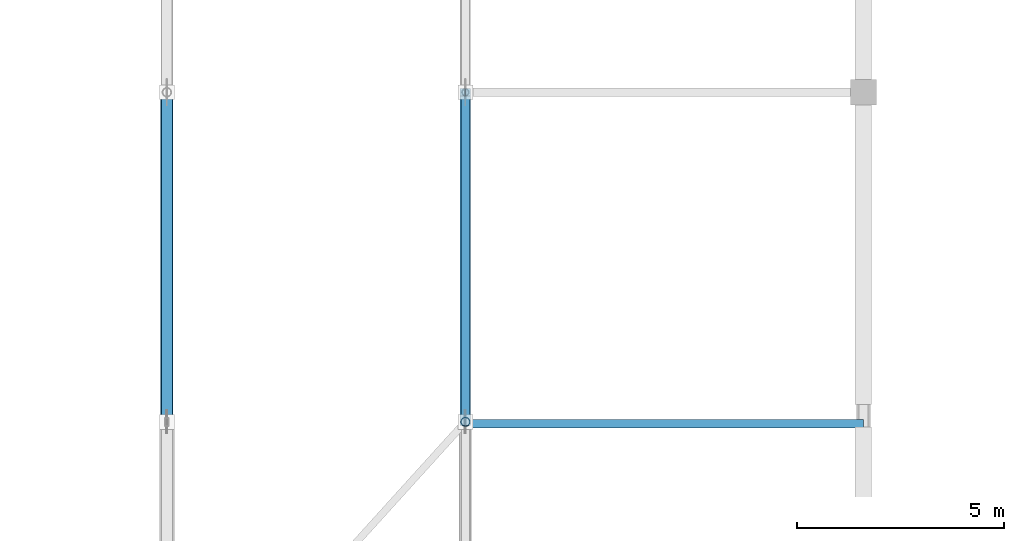
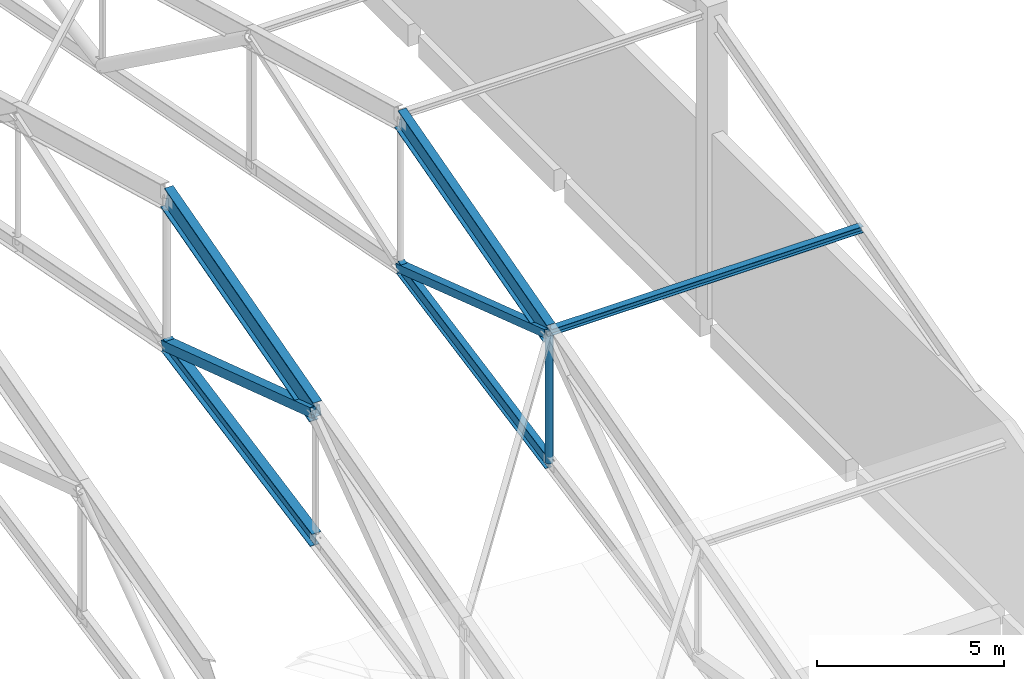
# One storey, part 13 of 53: 4 beams, 4 members.
"""IFC4 building model written with IfcOpenShell, lengths in metres."""

from ifc_helpers import new_model, si_unit, direction, frame, origin, origin_2d, place, context, subcontext, project, spatial, hollow_rectangle, hollow_circle, i_section, extrude, material, material_profile, profile_set, type_object, element, save


model = new_model("IFC4")

# Units and contexts
model_context = context("Model", 3, precision=1e-05, world=origin(), true_north=direction((0.0, 1.0)))
body_context = subcontext(model_context, "Body", "Model", "MODEL_VIEW")
ifc_project = project(units=[si_unit("LENGTHUNIT", "METRE"), si_unit("AREAUNIT", "SQUARE_METRE"), si_unit("VOLUMEUNIT", "CUBIC_METRE"), si_unit("PLANEANGLEUNIT", "RADIAN"), si_unit("MASSUNIT", "GRAM", prefix="KILO")], contexts=[model_context])

# Site, building, storey
site_placement = place(None, origin())
site = spatial("IfcSite", under=ifc_project, at=site_placement, CompositionType="ELEMENT")
building_placement = place(site_placement, origin())
building = spatial("IfcBuilding", under=site, at=building_placement, Name="Pellamere Symphony Hall", CompositionType="ELEMENT")
storey_placement = place(building_placement, frame((0.0, 0.0, 24.0)))
storey = spatial("IfcBuildingStorey", under=building, at=storey_placement, Name="L05", CompositionType="ELEMENT", Elevation=24.0)

# Beams
ifc_material = material(Name="Steel CSA G40.21 350W", Category="steel")
ifc_material_profile_1 = material_profile(ifc_material, i_section(OverallWidth=0.26806640625, OverallDepth=0.77001953125, WebThickness=0.015625, FlangeThickness=0.025390625, at=origin_2d()), Name="W760X196")
ifc_profile_set_1 = profile_set([ifc_material_profile_1], Name="Steel CSA G40.21 350W")
beam_type_1 = type_object("IfcBeamType", Name="Steel Beam SB-06 W760X196", PredefinedType="BEAM", material=ifc_profile_set_1)
beam_1_placement = place(storey_placement, frame((102.0, 53.85009765625, 7.419921875), z_axis=(0.0, 0.964082854885, 0.265601673408), x_axis=(-1.0, 0.0, 0.0)))
element("IfcBeam", 1, at=beam_1_placement, inside=storey, type_object=beam_type_1, Name="Roof Truss TR-07 Top Chord 4", PredefinedType="BEAM", context=body_context, shape_type="SweptSolid", body=[
    extrude(i_section(OverallWidth=0.26806640625, OverallDepth=0.77001953125, WebThickness=0.015625, FlangeThickness=0.025390625, at=origin_2d()), origin(), (0.0, 0.0, 1.0), 8.24609375),
])
ifc_material_profile_2 = material_profile(ifc_material, i_section(OverallWidth=0.25390625, OverallDepth=0.68798828125, WebThickness=0.01318359375, FlangeThickness=0.02099609375, at=origin_2d()), Name="W690X152")
ifc_profile_set_2 = profile_set([ifc_material_profile_2], Name="Steel CSA G40.21 350W")
beam_type_2 = type_object("IfcBeamType", Name="Steel Beam SB-08 W690X152", PredefinedType="BEAM", material=ifc_profile_set_2)
beam_2_placement = place(storey_placement, frame((109.199951171875, 53.85009765625, 7.4609375), z_axis=(0.0, 0.964090435702, 0.265574154969), x_axis=(-1.0, 0.0, 0.0)))
element("IfcBeam", 2, at=beam_2_placement, inside=storey, type_object=beam_type_2, Name="Roof Truss TR-08 Top Chord 4", PredefinedType="BEAM", context=body_context, shape_type="SweptSolid", body=[
    extrude(i_section(OverallWidth=0.25390625, OverallDepth=0.68798828125, WebThickness=0.01318359375, FlangeThickness=0.02099609375, at=origin_2d()), origin(), (0.0, 0.0, 1.0), 8.24609375),
])
ifc_material_profile_3 = material_profile(ifc_material, i_section(OverallWidth=0.282958984375, OverallDepth=0.471923828125, WebThickness=0.013671875, FlangeThickness=0.022216796875, at=origin_2d()), Name="W460X144")
ifc_profile_set_3 = profile_set([ifc_material_profile_3], Name="Steel CSA G40.21 350W")
beam_type_3 = type_object("IfcBeamType", Name="Steel Beam SB-15 W460X144", PredefinedType="BEAM", material=ifc_profile_set_3)
beam_3_placement = place(storey_placement, frame((102.0, 53.85009765625, 3.25341796875), z_axis=(0.0, 0.981596715528, 0.190965672477), x_axis=(-1.0, 0.0, 0.0)))
element("IfcBeam", 3, at=beam_3_placement, inside=storey, type_object=beam_type_3, Name="Roof Truss TR-07 Bottom Chord 4", PredefinedType="BEAM", context=body_context, shape_type="SweptSolid", body=[
    extrude(i_section(OverallWidth=0.282958984375, OverallDepth=0.471923828125, WebThickness=0.013671875, FlangeThickness=0.022216796875, at=origin_2d()), origin(), (0.0, 0.0, 1.0), 8.09912109375),
])
ifc_material_profile_4 = material_profile(ifc_material, i_section(OverallWidth=0.194091796875, OverallDepth=0.468994140625, WebThickness=0.011474609375, FlangeThickness=0.019287109375, at=origin_2d()), Name="W460X106")
ifc_profile_set_4 = profile_set([ifc_material_profile_4], Name="Steel CSA G40.21 350W")
beam_type_4 = type_object("IfcBeamType", Name="Steel Beam SB-16 W460X106", PredefinedType="BEAM", material=ifc_profile_set_4)
beam_4_placement = place(storey_placement, frame((109.199951171875, 53.85009765625, 3.25341796875), z_axis=(0.0, 0.981596715528, 0.190965672477), x_axis=(-1.0, 0.0, 0.0)))
element("IfcBeam", 4, at=beam_4_placement, inside=storey, type_object=beam_type_4, Name="Roof Truss TR-08 Bottom Chord 4", PredefinedType="BEAM", context=body_context, shape_type="SweptSolid", body=[
    extrude(i_section(OverallWidth=0.194091796875, OverallDepth=0.468994140625, WebThickness=0.011474609375, FlangeThickness=0.019287109375, at=origin_2d()), origin(), (0.0, 0.0, 1.0), 8.09912109375),
])

# Members
ifc_material_profile_5 = material_profile(ifc_material, hollow_rectangle(XDim=0.3046875, YDim=0.3046875, WallThickness=0.0126953125, at=origin_2d()), Name="HSS305X305X13")
ifc_profile_set_5 = profile_set([ifc_material_profile_5], Name="Steel CSA G40.21 350W")
member_type_1 = type_object("IfcMemberType", Name="Steel Member SM-02 HSS305X305X13", PredefinedType="CHORD", material=ifc_profile_set_5)
member_1_placement = place(storey_placement, frame((102.0, 53.85009765625, 7.419921875), z_axis=(0.0, 0.949756943638, -0.312988415139), x_axis=(-1.0, 0.0, 0.0)))
element("IfcMember", 5, at=member_1_placement, inside=storey, type_object=member_type_1, Name="Roof Truss TR-07 Web Diagonal 4", PredefinedType="CHORD", context=body_context, shape_type="SweptSolid", body=[
    extrude(hollow_rectangle(XDim=0.3046875, YDim=0.3046875, WallThickness=0.0126953125, at=origin_2d()), origin(), (0.0, 0.0, 1.0), 8.37060546875),
])
ifc_material_profile_6 = material_profile(ifc_material, hollow_rectangle(XDim=0.25390625, YDim=0.25390625, WallThickness=0.0126953125, at=origin_2d()), Name="HSS254X254X13")
ifc_profile_set_6 = profile_set([ifc_material_profile_6], Name="Steel CSA G40.21 350W")
member_type_2 = type_object("IfcMemberType", Name="Steel Member SM-03 HSS254X254X13", PredefinedType="BRACE", material=ifc_profile_set_6)
member_2_placement = place(storey_placement, frame((109.199951171875, 53.85009765625, 7.4609375), z_axis=(0.0, 0.94829234394, -0.317398220576), x_axis=(-1.0, 0.0, 0.0)))
element("IfcMember", 6, at=member_2_placement, inside=storey, type_object=member_type_2, Name="Roof Truss TR-08 Web Diagonal 4", PredefinedType="BRACE", context=body_context, shape_type="SweptSolid", body=[
    extrude(hollow_rectangle(XDim=0.25390625, YDim=0.25390625, WallThickness=0.0126953125, at=origin_2d()), origin(), (0.0, 0.0, 1.0), 8.383544921875),
])
ifc_material_profile_7 = material_profile(ifc_material, hollow_circle(Radius=0.109619140625, WallThickness=0.009521484375, at=origin_2d()), Name="HSS219X10")
ifc_profile_set_7 = profile_set([ifc_material_profile_7], Name="Steel CSA G40.21 350W")
member_type_3 = type_object("IfcMemberType", Name="Steel Member SM-13 HSS219X10", PredefinedType="STRUT", material=ifc_profile_set_7)
member_3_placement = place(storey_placement, frame((109.199951171875, 53.85009765625, 3.25341796875), z_axis=(0.0, 0.0, 1.0), x_axis=(1.0, 0.0, 0.0)))
element("IfcMember", 7, at=member_3_placement, inside=storey, type_object=member_type_3, Name="Roof Truss TR-08 Vertical Post 3", PredefinedType="STRUT", context=body_context, shape_type="SweptSolid", body=[
    extrude(hollow_circle(Radius=0.109619140625, WallThickness=0.009521484375, at=origin_2d()), origin(), (0.0, 0.0, 1.0), 4.20751953125),
])
ifc_material_profile_8 = material_profile(ifc_material, i_section(OverallWidth=0.2041015625, OverallDepth=0.2060546875, WebThickness=0.0078125, FlangeThickness=0.0126953125, at=origin_2d()), Name="W200X52")
ifc_profile_set_8 = profile_set([ifc_material_profile_8], Name="Steel CSA G40.21 350W")
member_type_4 = type_object("IfcMemberType", Name="Steel Member SM-15 W200X52", PredefinedType="PURLIN", material=ifc_profile_set_8)
member_4_placement = place(storey_placement, frame((109.199951171875, 53.800048828125, 7.55615234375), z_axis=(1.0, 0.0, 0.0), x_axis=(0.0, 1.0, 0.0)))
element("IfcMember", 8, at=member_4_placement, inside=storey, type_object=member_type_4, Name="Crystal Foyer Roof Purlin E.3", PredefinedType="PURLIN", context=body_context, shape_type="SweptSolid", body=[
    extrude(i_section(OverallWidth=0.2041015625, OverallDepth=0.2060546875, WebThickness=0.0078125, FlangeThickness=0.0126953125, at=origin_2d()), origin(), (0.0, 0.0, 1.0), 9.60009765625),
])

save(model, "model.ifc")
